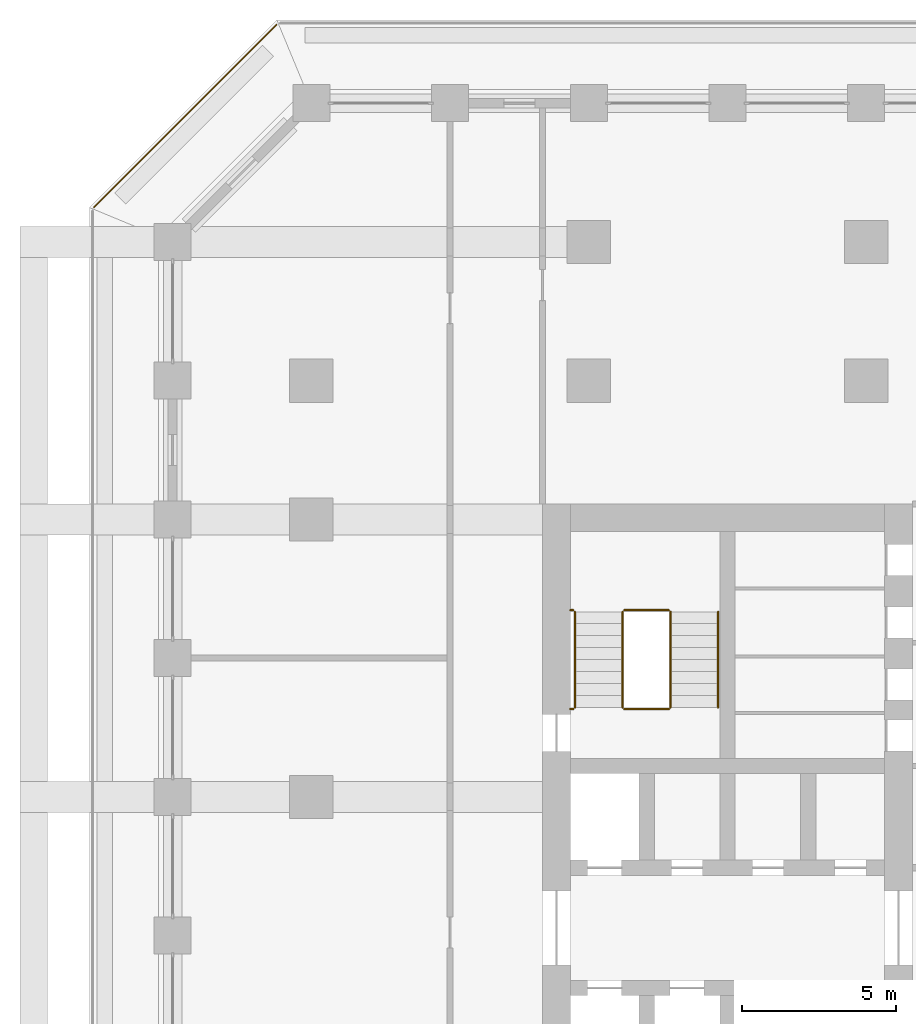
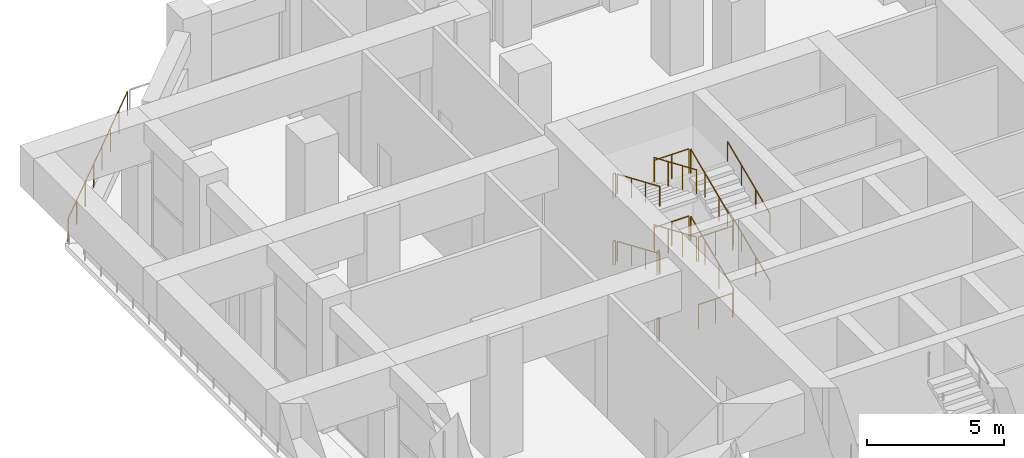
# One storey, part 21 of 24: 17 railings.
"""IFC4 building model written with IfcOpenShell, lengths in metres."""

from ifc_helpers import new_model, si_unit, direction, frame, origin, origin_2d, place, context, subcontext, project, spatial, circle, extrude, material, type_object, element, save


model = new_model("IFC4")

# Units and contexts
model_context = context("Model", 3, precision=1e-05, world=origin(), true_north=direction((0.0, 1.0)))
body_context = subcontext(model_context, "Body", "Model", "MODEL_VIEW")
ifc_project = project(units=[si_unit("LENGTHUNIT", "METRE"), si_unit("AREAUNIT", "SQUARE_METRE"), si_unit("VOLUMEUNIT", "CUBIC_METRE"), si_unit("PLANEANGLEUNIT", "RADIAN"), si_unit("MASSUNIT", "GRAM", prefix="KILO")], contexts=[model_context])

# Site, building, storey
site_placement = place(None, origin())
site = spatial("IfcSite", under=ifc_project, at=site_placement, CompositionType="ELEMENT")
building_placement = place(site_placement, origin())
building = spatial("IfcBuilding", under=site, at=building_placement, Name="Corbel Stack Research Tower", CompositionType="ELEMENT")
storey_placement = place(building_placement, frame((0.0, 0.0, 110.699951171875)))
storey = spatial("IfcBuildingStorey", under=building, at=storey_placement, Name="L25", CompositionType="ELEMENT", Elevation=110.699951171875)

# Railings
ifc_material_1 = material(Name="Steel S355", Category="steel")
railing_type_1 = type_object("IfcRailingType", Name="Stair guard 1100", PredefinedType="GUARDRAIL", material=ifc_material_1)
railing_1_placement = place(storey_placement, frame((-6.35009765625, 11.89990234375, 0.166748046875)))
element("IfcRailing", 1, at=railing_1_placement, inside=storey, type_object=railing_type_1, Name="L25 ST-W2 stair guard 1", PredefinedType="GUARDRAIL", context=body_context, shape_type="SweptSolid", body=[
    extrude(circle(Radius=0.02392578125, at=origin_2d()), frame((0.0, 0.0, 1.076171875), z_axis=(0.0, 0.918826996994, 0.394660549834), x_axis=(-1.0, 0.0, 0.0)), (0.0, 0.0, 1.0), 3.378173828125),
    extrude(circle(Radius=0.02099609375, at=origin_2d()), origin(), (0.0, 0.0, 1.0), 1.052001953125),
    extrude(circle(Radius=0.02099609375, at=origin_2d()), frame((0.0, 1.03466796875, 0.4443359375)), (0.0, 0.0, 1.0), 1.052001953125),
    extrude(circle(Radius=0.02099609375, at=origin_2d()), frame((0.0, 2.0693359375, 0.888916015625)), (0.0, 0.0, 1.0), 1.052001953125),
    extrude(circle(Radius=0.02099609375, at=origin_2d()), frame((0.0, 3.10400390625, 1.333251953125)), (0.0, 0.0, 1.0), 1.052001953125),
])
railing_2_placement = place(storey_placement, frame((-6.39990234375, 15.053955078125, 1.5)))
element("IfcRailing", 2, at=railing_2_placement, inside=storey, type_object=railing_type_1, Name="L25 ST-W2 stair guard 2", PredefinedType="GUARDRAIL", context=body_context, shape_type="SweptSolid", body=[
    extrude(circle(Radius=0.02392578125, at=origin_2d()), frame((0.0, 0.0, 1.076171875), z_axis=(-1.0, 0.0, 0.0), x_axis=(0.0, -1.0, 0.0)), (0.0, 0.0, 1.0), 1.4501953125),
    extrude(circle(Radius=0.02099609375, at=origin_2d()), origin(), (0.0, 0.0, 1.0), 1.052001953125),
    extrude(circle(Radius=0.02099609375, at=origin_2d()), frame((-0.72509765625, 0.0, 0.0)), (0.0, 0.0, 1.0), 1.052001953125),
    extrude(circle(Radius=0.02099609375, at=origin_2d()), frame((-1.4501953125, 0.0, 0.0)), (0.0, 0.0, 1.0), 1.052001953125),
])
railing_3_placement = place(storey_placement, frame((-9.5, 15.053955078125, 1.5)))
element("IfcRailing", 3, at=railing_3_placement, inside=storey, type_object=railing_type_1, Name="L25 ST-W2 stair guard 3", PredefinedType="GUARDRAIL", context=body_context, shape_type="SweptSolid", body=[
    extrude(circle(Radius=0.02392578125, at=origin_2d()), frame((0.0, 0.0, 1.076171875), z_axis=(-1.0, 0.0, 0.0), x_axis=(0.0, -1.0, 0.0)), (0.0, 0.0, 1.0), 0.10009765625),
    extrude(circle(Radius=0.02099609375, at=origin_2d()), origin(), (0.0, 0.0, 1.0), 1.052001953125),
    extrude(circle(Radius=0.02099609375, at=origin_2d()), frame((-0.10009765625, 0.0, 0.0)), (0.0, 0.0, 1.0), 1.052001953125),
])
railing_4_placement = place(storey_placement, frame((-7.89990234375, 15.00390625, 1.666748046875)))
element("IfcRailing", 4, at=railing_4_placement, inside=storey, type_object=railing_type_1, Name="L25 ST-W2 stair guard 4", PredefinedType="GUARDRAIL", context=body_context, shape_type="SweptSolid", body=[
    extrude(circle(Radius=0.02392578125, at=origin_2d()), frame((0.0, 0.0, 1.076171875), z_axis=(0.0, -0.918826996994, 0.394660549834), x_axis=(1.0, 0.0, 0.0)), (0.0, 0.0, 1.0), 3.378173828125),
    extrude(circle(Radius=0.02099609375, at=origin_2d()), origin(), (0.0, 0.0, 1.0), 1.052001953125),
    extrude(circle(Radius=0.02099609375, at=origin_2d()), frame((0.0, -1.03466796875, 0.4443359375)), (0.0, 0.0, 1.0), 1.052001953125),
    extrude(circle(Radius=0.02099609375, at=origin_2d()), frame((0.0, -2.0693359375, 0.888916015625)), (0.0, 0.0, 1.0), 1.052001953125),
    extrude(circle(Radius=0.02099609375, at=origin_2d()), frame((0.0, -3.10400390625, 1.333251953125)), (0.0, 0.0, 1.0), 1.052001953125),
])
railing_5_placement = place(storey_placement, frame((-6.39990234375, 11.85009765625, 3.0)))
element("IfcRailing", 5, at=railing_5_placement, inside=storey, type_object=railing_type_1, Name="L25 ST-W2 stair guard 5", PredefinedType="GUARDRAIL", context=body_context, shape_type="SweptSolid", body=[
    extrude(circle(Radius=0.02392578125, at=origin_2d()), frame((0.0, 0.0, 1.076171875), z_axis=(-1.0, 0.0, 0.0), x_axis=(0.0, -1.0, 0.0)), (0.0, 0.0, 1.0), 1.4501953125),
    extrude(circle(Radius=0.02099609375, at=origin_2d()), origin(), (0.0, 0.0, 1.0), 1.052001953125),
    extrude(circle(Radius=0.02099609375, at=origin_2d()), frame((-0.72509765625, 0.0, 0.0)), (0.0, 0.0, 1.0), 1.052001953125),
    extrude(circle(Radius=0.02099609375, at=origin_2d()), frame((-1.4501953125, 0.0, 0.0)), (0.0, 0.0, 1.0), 1.052001953125),
])
railing_6_placement = place(storey_placement, frame((-9.5, 11.85009765625, 3.0)))
element("IfcRailing", 6, at=railing_6_placement, inside=storey, type_object=railing_type_1, Name="L25 ST-W2 stair guard 6", PredefinedType="GUARDRAIL", context=body_context, shape_type="SweptSolid", body=[
    extrude(circle(Radius=0.02392578125, at=origin_2d()), frame((0.0, 0.0, 1.076171875), z_axis=(-1.0, 0.0, 0.0), x_axis=(0.0, -1.0, 0.0)), (0.0, 0.0, 1.0), 0.10009765625),
    extrude(circle(Radius=0.02099609375, at=origin_2d()), origin(), (0.0, 0.0, 1.0), 1.052001953125),
    extrude(circle(Radius=0.02099609375, at=origin_2d()), frame((-0.10009765625, 0.0, 0.0)), (0.0, 0.0, 1.0), 1.052001953125),
])
railing_7_placement = place(storey_placement, frame((-6.35009765625, 11.89990234375, 3.166748046875)))
element("IfcRailing", 7, at=railing_7_placement, inside=storey, type_object=railing_type_1, Name="L25 ST-W2 stair guard 7", PredefinedType="GUARDRAIL", context=body_context, shape_type="SweptSolid", body=[
    extrude(circle(Radius=0.02392578125, at=origin_2d()), frame((0.0, 0.0, 1.076171875), z_axis=(0.0, 0.918826996994, 0.394660549834), x_axis=(-1.0, 0.0, 0.0)), (0.0, 0.0, 1.0), 3.378173828125),
    extrude(circle(Radius=0.02099609375, at=origin_2d()), origin(), (0.0, 0.0, 1.0), 1.052001953125),
    extrude(circle(Radius=0.02099609375, at=origin_2d()), frame((0.0, 1.03466796875, 0.4443359375)), (0.0, 0.0, 1.0), 1.052001953125),
    extrude(circle(Radius=0.02099609375, at=origin_2d()), frame((0.0, 2.0693359375, 0.888916015625)), (0.0, 0.0, 1.0), 1.052001953125),
    extrude(circle(Radius=0.02099609375, at=origin_2d()), frame((0.0, 3.10400390625, 1.333251953125)), (0.0, 0.0, 1.0), 1.052001953125),
])
railing_8_placement = place(storey_placement, frame((-6.39990234375, 15.053955078125, 4.5)))
element("IfcRailing", 8, at=railing_8_placement, inside=storey, type_object=railing_type_1, Name="L25 ST-W2 stair guard 8", PredefinedType="GUARDRAIL", context=body_context, shape_type="SweptSolid", body=[
    extrude(circle(Radius=0.02392578125, at=origin_2d()), frame((0.0, 0.0, 1.076171875), z_axis=(-1.0, 0.0, 0.0), x_axis=(0.0, -1.0, 0.0)), (0.0, 0.0, 1.0), 1.4501953125),
    extrude(circle(Radius=0.02099609375, at=origin_2d()), origin(), (0.0, 0.0, 1.0), 1.052001953125),
    extrude(circle(Radius=0.02099609375, at=origin_2d()), frame((-0.72509765625, 0.0, 0.0)), (0.0, 0.0, 1.0), 1.052001953125),
    extrude(circle(Radius=0.02099609375, at=origin_2d()), frame((-1.4501953125, 0.0, 0.0)), (0.0, 0.0, 1.0), 1.052001953125),
])
railing_9_placement = place(storey_placement, frame((-9.5, 15.053955078125, 4.5)))
element("IfcRailing", 9, at=railing_9_placement, inside=storey, type_object=railing_type_1, Name="L25 ST-W2 stair guard 9", PredefinedType="GUARDRAIL", context=body_context, shape_type="SweptSolid", body=[
    extrude(circle(Radius=0.02392578125, at=origin_2d()), frame((0.0, 0.0, 1.076171875), z_axis=(-1.0, 0.0, 0.0), x_axis=(0.0, -1.0, 0.0)), (0.0, 0.0, 1.0), 0.10009765625),
    extrude(circle(Radius=0.02099609375, at=origin_2d()), origin(), (0.0, 0.0, 1.0), 1.052001953125),
    extrude(circle(Radius=0.02099609375, at=origin_2d()), frame((-0.10009765625, 0.0, 0.0)), (0.0, 0.0, 1.0), 1.052001953125),
])
railing_10_placement = place(storey_placement, frame((-7.89990234375, 15.00390625, 4.666748046875)))
element("IfcRailing", 10, at=railing_10_placement, inside=storey, type_object=railing_type_1, Name="L25 ST-W2 stair guard 10", PredefinedType="GUARDRAIL", context=body_context, shape_type="SweptSolid", body=[
    extrude(circle(Radius=0.02392578125, at=origin_2d()), frame((0.0, 0.0, 1.076171875), z_axis=(0.0, -0.918826996994, 0.394660549834), x_axis=(1.0, 0.0, 0.0)), (0.0, 0.0, 1.0), 3.378173828125),
    extrude(circle(Radius=0.02099609375, at=origin_2d()), origin(), (0.0, 0.0, 1.0), 1.052001953125),
    extrude(circle(Radius=0.02099609375, at=origin_2d()), frame((0.0, -1.03466796875, 0.4443359375)), (0.0, 0.0, 1.0), 1.052001953125),
    extrude(circle(Radius=0.02099609375, at=origin_2d()), frame((0.0, -2.0693359375, 0.888916015625)), (0.0, 0.0, 1.0), 1.052001953125),
    extrude(circle(Radius=0.02099609375, at=origin_2d()), frame((0.0, -3.10400390625, 1.333251953125)), (0.0, 0.0, 1.0), 1.052001953125),
])
railing_11_placement = place(storey_placement, frame((-6.39990234375, 11.85009765625, 0.0)))
element("IfcRailing", 11, at=railing_11_placement, inside=storey, type_object=railing_type_1, Name="L25 ST-W2 stair guard 11", PredefinedType="GUARDRAIL", context=body_context, shape_type="SweptSolid", body=[
    extrude(circle(Radius=0.02392578125, at=origin_2d()), frame((0.0, 0.0, 1.076171875), z_axis=(-1.0, 0.0, 0.0), x_axis=(0.0, -1.0, 0.0)), (0.0, 0.0, 1.0), 1.4501953125),
    extrude(circle(Radius=0.02099609375, at=origin_2d()), origin(), (0.0, 0.0, 1.0), 1.052001953125),
    extrude(circle(Radius=0.02099609375, at=origin_2d()), frame((-0.72509765625, 0.0, 0.0)), (0.0, 0.0, 1.0), 1.052001953125),
    extrude(circle(Radius=0.02099609375, at=origin_2d()), frame((-1.4501953125, 0.0, 0.0)), (0.0, 0.0, 1.0), 1.052001953125),
])
railing_12_placement = place(storey_placement, frame((-9.5, 11.85009765625, 0.0)))
element("IfcRailing", 12, at=railing_12_placement, inside=storey, type_object=railing_type_1, Name="L25 ST-W2 stair guard 12", PredefinedType="GUARDRAIL", context=body_context, shape_type="SweptSolid", body=[
    extrude(circle(Radius=0.02392578125, at=origin_2d()), frame((0.0, 0.0, 1.076171875), z_axis=(-1.0, 0.0, 0.0), x_axis=(0.0, -1.0, 0.0)), (0.0, 0.0, 1.0), 0.10009765625),
    extrude(circle(Radius=0.02099609375, at=origin_2d()), origin(), (0.0, 0.0, 1.0), 1.052001953125),
    extrude(circle(Radius=0.02099609375, at=origin_2d()), frame((-0.10009765625, 0.0, 0.0)), (0.0, 0.0, 1.0), 1.052001953125),
])
ifc_material_2 = material(Name="Steel S355", Category="steel")
railing_type_2 = type_object("IfcRailingType", Name="Stair handrail 900", PredefinedType="HANDRAIL", material=ifc_material_2)
railing_13_placement = place(storey_placement, frame((-4.800048828125, 11.89990234375, 0.166748046875)))
element("IfcRailing", 13, at=railing_13_placement, inside=storey, type_object=railing_type_2, Name="L25 ST-W2 stair handrail 1", PredefinedType="HANDRAIL", context=body_context, shape_type="SweptSolid", body=[
    extrude(circle(Radius=0.02392578125, at=origin_2d()), frame((0.0, 0.0, 0.8759765625), z_axis=(0.0, 0.918826996994, 0.394660549834), x_axis=(-1.0, 0.0, 0.0)), (0.0, 0.0, 1.0), 3.378173828125),
    extrude(circle(Radius=0.02099609375, at=origin_2d()), origin(), (0.0, 0.0, 1.0), 0.851806640625),
    extrude(circle(Radius=0.02099609375, at=origin_2d()), frame((0.0, 1.03466796875, 0.4443359375)), (0.0, 0.0, 1.0), 0.851806640625),
    extrude(circle(Radius=0.02099609375, at=origin_2d()), frame((0.0, 2.0693359375, 0.888916015625)), (0.0, 0.0, 1.0), 0.851806640625),
    extrude(circle(Radius=0.02099609375, at=origin_2d()), frame((0.0, 3.10400390625, 1.333251953125)), (0.0, 0.0, 1.0), 0.851806640625),
])
railing_14_placement = place(storey_placement, frame((-9.449951171875, 15.00390625, 1.666748046875)))
element("IfcRailing", 14, at=railing_14_placement, inside=storey, type_object=railing_type_2, Name="L25 ST-W2 stair handrail 2", PredefinedType="HANDRAIL", context=body_context, shape_type="SweptSolid", body=[
    extrude(circle(Radius=0.02392578125, at=origin_2d()), frame((0.0, 0.0, 0.8759765625), z_axis=(0.0, -0.918826996994, 0.394660549834), x_axis=(1.0, 0.0, 0.0)), (0.0, 0.0, 1.0), 3.378173828125),
    extrude(circle(Radius=0.02099609375, at=origin_2d()), origin(), (0.0, 0.0, 1.0), 0.851806640625),
    extrude(circle(Radius=0.02099609375, at=origin_2d()), frame((0.0, -1.03466796875, 0.4443359375)), (0.0, 0.0, 1.0), 0.851806640625),
    extrude(circle(Radius=0.02099609375, at=origin_2d()), frame((0.0, -2.0693359375, 0.888916015625)), (0.0, 0.0, 1.0), 0.851806640625),
    extrude(circle(Radius=0.02099609375, at=origin_2d()), frame((0.0, -3.10400390625, 1.333251953125)), (0.0, 0.0, 1.0), 0.851806640625),
])
railing_15_placement = place(storey_placement, frame((-4.800048828125, 11.89990234375, 3.166748046875)))
element("IfcRailing", 15, at=railing_15_placement, inside=storey, type_object=railing_type_2, Name="L25 ST-W2 stair handrail 3", PredefinedType="HANDRAIL", context=body_context, shape_type="SweptSolid", body=[
    extrude(circle(Radius=0.02392578125, at=origin_2d()), frame((0.0, 0.0, 0.8759765625), z_axis=(0.0, 0.918826996994, 0.394660549834), x_axis=(-1.0, 0.0, 0.0)), (0.0, 0.0, 1.0), 3.378173828125),
    extrude(circle(Radius=0.02099609375, at=origin_2d()), origin(), (0.0, 0.0, 1.0), 0.851806640625),
    extrude(circle(Radius=0.02099609375, at=origin_2d()), frame((0.0, 1.03466796875, 0.4443359375)), (0.0, 0.0, 1.0), 0.851806640625),
    extrude(circle(Radius=0.02099609375, at=origin_2d()), frame((0.0, 2.0693359375, 0.888916015625)), (0.0, 0.0, 1.0), 0.851806640625),
    extrude(circle(Radius=0.02099609375, at=origin_2d()), frame((0.0, 3.10400390625, 1.333251953125)), (0.0, 0.0, 1.0), 0.851806640625),
])
railing_16_placement = place(storey_placement, frame((-9.449951171875, 15.00390625, 4.666748046875)))
element("IfcRailing", 16, at=railing_16_placement, inside=storey, type_object=railing_type_2, Name="L25 ST-W2 stair handrail 4", PredefinedType="HANDRAIL", context=body_context, shape_type="SweptSolid", body=[
    extrude(circle(Radius=0.02392578125, at=origin_2d()), frame((0.0, 0.0, 0.8759765625), z_axis=(0.0, -0.918826996994, 0.394660549834), x_axis=(1.0, 0.0, 0.0)), (0.0, 0.0, 1.0), 3.378173828125),
    extrude(circle(Radius=0.02099609375, at=origin_2d()), origin(), (0.0, 0.0, 1.0), 0.851806640625),
    extrude(circle(Radius=0.02099609375, at=origin_2d()), frame((0.0, -1.03466796875, 0.4443359375)), (0.0, 0.0, 1.0), 0.851806640625),
    extrude(circle(Radius=0.02099609375, at=origin_2d()), frame((0.0, -2.0693359375, 0.888916015625)), (0.0, 0.0, 1.0), 0.851806640625),
    extrude(circle(Radius=0.02099609375, at=origin_2d()), frame((0.0, -3.10400390625, 1.333251953125)), (0.0, 0.0, 1.0), 0.851806640625),
])
ifc_material_3 = material(Name="Powder-coated steel guard", Category="steel")
railing_type_3 = type_object("IfcRailingType", Name="Steel and glass guard 1100", PredefinedType="GUARDRAIL", material=ifc_material_3)
railing_17_placement = place(storey_placement, frame((-19.127685546875, 34.04931640625, 0.0)))
element("IfcRailing", 17, at=railing_17_placement, inside=storey, type_object=railing_type_3, Name="Loggia guard L25 NW", PredefinedType="GUARDRAIL", context=body_context, shape_type="SweptSolid", body=[
    extrude(circle(Radius=0.02392578125, at=origin_2d()), frame((0.0, 0.0, 1.076171875), z_axis=(-0.707106781187, -0.707106781187, 0.0), x_axis=(0.707106781187, -0.707106781187, 0.0)), (0.0, 0.0, 1.0), 8.37451171875),
    extrude(circle(Radius=0.02099609375, at=origin_2d()), origin(), (0.0, 0.0, 1.0), 1.052001953125),
    extrude(circle(Radius=0.02099609375, at=origin_2d()), frame((-0.845947265625, -0.845947265625, 0.0)), (0.0, 0.0, 1.0), 1.052001953125),
    extrude(circle(Radius=0.02099609375, at=origin_2d()), frame((-1.69189453125, -1.69189453125, 0.0)), (0.0, 0.0, 1.0), 1.052001953125),
    extrude(circle(Radius=0.02099609375, at=origin_2d()), frame((-2.537841796875, -2.537841796875, 0.0)), (0.0, 0.0, 1.0), 1.052001953125),
    extrude(circle(Radius=0.02099609375, at=origin_2d()), frame((-3.3837890625, -3.3837890625, 0.0)), (0.0, 0.0, 1.0), 1.052001953125),
    extrude(circle(Radius=0.02099609375, at=origin_2d()), frame((-4.229736328125, -4.229736328125, 0.0)), (0.0, 0.0, 1.0), 1.052001953125),
    extrude(circle(Radius=0.02099609375, at=origin_2d()), frame((-5.07568359375, -5.07568359375, 0.0)), (0.0, 0.0, 1.0), 1.052001953125),
    extrude(circle(Radius=0.02099609375, at=origin_2d()), frame((-5.921630859375, -5.921630859375, 0.0)), (0.0, 0.0, 1.0), 1.052001953125),
])

save(model, "model.ifc")
